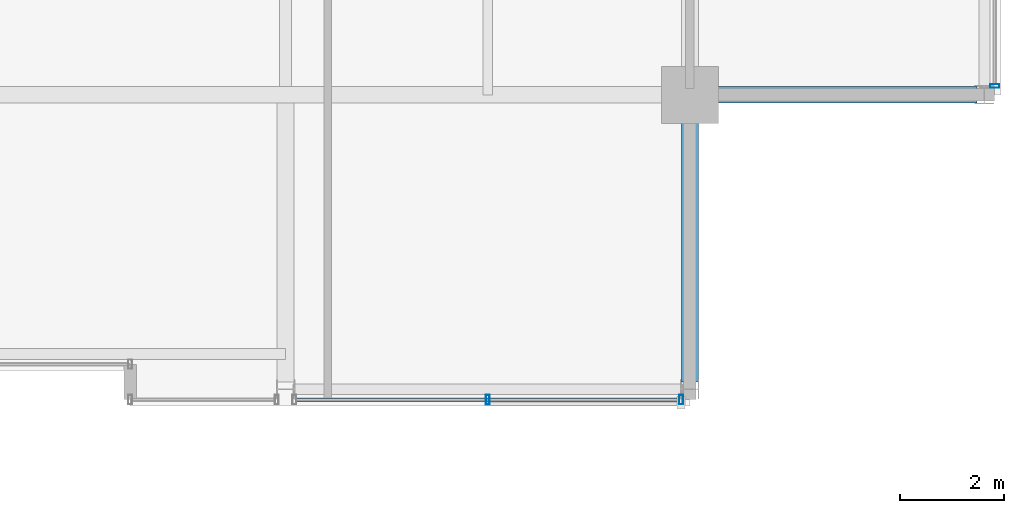
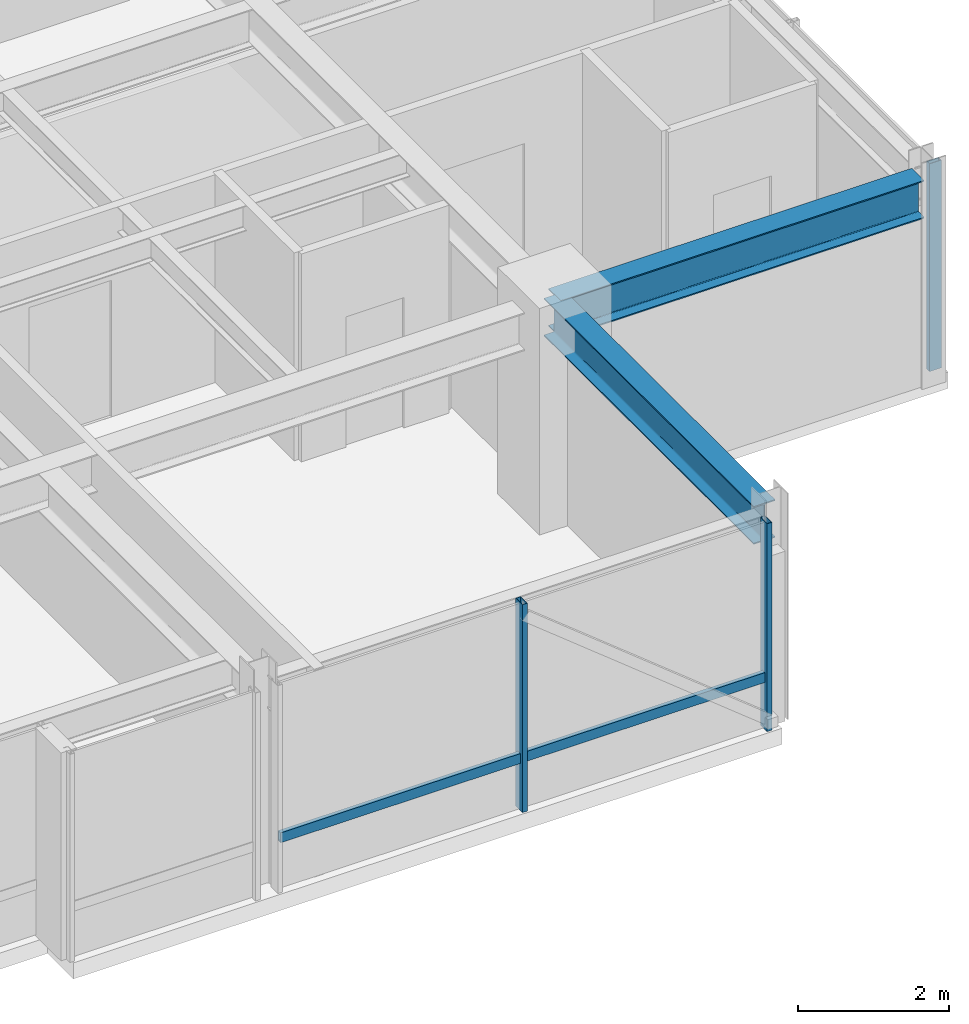
# One storey, part 15 of 34: 4 members, 2 beams, 2 elements without a shape of their own.
"""IFC4 building model written with IfcOpenShell, lengths in metres."""

from ifc_helpers import new_model, si_unit, direction, frame, origin, origin_2d, place, context, subcontext, project, spatial, hollow_rectangle, i_section, extrude, material, layer, layer_set, material_profile, profile_set, type_object, element, aggregate, save


model = new_model("IFC4")

# Units and contexts
model_context = context("Model", 3, precision=1e-05, world=origin(), true_north=direction((0.0, 1.0)))
body_context = subcontext(model_context, "Body", "Model", "MODEL_VIEW")
ifc_project = project(units=[si_unit("LENGTHUNIT", "METRE"), si_unit("AREAUNIT", "SQUARE_METRE"), si_unit("VOLUMEUNIT", "CUBIC_METRE"), si_unit("PLANEANGLEUNIT", "RADIAN"), si_unit("MASSUNIT", "GRAM", prefix="KILO")], contexts=[model_context])

# Site, building, storey
site_placement = place(None, origin())
site = spatial("IfcSite", under=ifc_project, at=site_placement, CompositionType="ELEMENT")
building_placement = place(site_placement, origin())
building = spatial("IfcBuilding", under=site, at=building_placement, Name="Drelvath Grand Hotel", CompositionType="ELEMENT")
storey_placement = place(building_placement, frame((0.0, 0.0, 290.550048828125)))
storey = spatial("IfcBuildingStorey", under=building, at=storey_placement, Name="L76", CompositionType="ELEMENT", Elevation=290.550048828125)

# Curtain wall, member
ifc_material_1 = material(Name="Platinum-Mist Anodised Aluminium Frame", Category="aluminium")
ifc_layer = layer(ifc_material_1, 0.199951171875)
ifc_layer_set = layer_set([ifc_layer], Name="Platinum-Mist Anodised Aluminium Frame")
curtain_wall_type = type_object("IfcCurtainWallType", Name="Stick Curtain Wall CW-05 Platinum Mist High-Rise", PredefinedType="NOTDEFINED", material=ifc_layer_set)
curtain_wall_1_placement = place(storey_placement, origin())
curtain_wall_1 = element("IfcCurtainWall", 1, at=curtain_wall_1_placement, inside=storey, type_object=curtain_wall_type, Name="L76 CW-05 Curtain Wall CW05-L76-SE2", PredefinedType="NOTDEFINED")
ifc_material_profile_1 = material_profile(ifc_material_1, hollow_rectangle(XDim=0.06494140625, YDim=0.159912109375, WallThickness=0.00390625, at=origin_2d()), Name="HSS160X65X4")
ifc_profile_set_1 = profile_set([ifc_material_profile_1], Name="Platinum-Mist Anodised Aluminium Frame")
member_type_1 = type_object("IfcMemberType", Name="Curtain Wall Horizontal Transom CW-05 HSS160X65X4", PredefinedType="USERDEFINED", material=ifc_profile_set_1)
member_1_placement = place(storey_placement, frame((15.989990234375, 4.919921875, 0.83740234375), z_axis=(-1.0, 0.0, 0.0), x_axis=(0.0, -1.0, 0.0)))
member_1 = element("IfcMember", 2, at=member_1_placement, type_object=member_type_1, Name="CW05-L76-SE2 Sill Transom", ObjectType="TRANSOM", PredefinedType="USERDEFINED", context=body_context, shape_type="SweptSolid", body=[
    extrude(hollow_rectangle(XDim=0.06494140625, YDim=0.159912109375, WallThickness=0.00390625, at=origin_2d()), origin(), (0.0, 0.0, 1.0), 7.3798828125),
])

curtain_wall_2_placement = place(storey_placement, origin())
curtain_wall_2 = element("IfcCurtainWall", 3, at=curtain_wall_2_placement, inside=storey, type_object=curtain_wall_type, Name="L76 CW-05 Curtain Wall CW05-L76-ES1", PredefinedType="NOTDEFINED")
ifc_material_profile_2 = material_profile(ifc_material_1, hollow_rectangle(XDim=0.074951171875, YDim=0.179931640625, WallThickness=0.0048828125, at=origin_2d()), Name="HSS180X75X5")
ifc_profile_set_2 = profile_set([ifc_material_profile_2], Name="Platinum-Mist Anodised Aluminium Frame")
member_type_2 = type_object("IfcMemberType", Name="Curtain Wall Vertical Mullion CW-05 HSS180X75X5", PredefinedType="MULLION", material=ifc_profile_set_2)
member_2_placement = place(storey_placement, frame((22.080078125, 10.97021484375, 0.0), z_axis=(0.0, 0.0, 1.0), x_axis=(0.0, 1.0, 0.0)))
member_2 = element("IfcMember", 4, at=member_2_placement, type_object=member_type_2, Name="CW05-L76-ES1 Mullion 3", PredefinedType="MULLION", context=body_context, shape_type="SweptSolid", body=[
    extrude(hollow_rectangle(XDim=0.074951171875, YDim=0.179931640625, WallThickness=0.0048828125, at=origin_2d()), origin(), (0.0, 0.0, 1.0), 3.349853515625),
])
aggregate(curtain_wall_2, [member_2])

# Member
member_3_placement = place(storey_placement, frame((16.02978515625, 4.919921875, 0.0), z_axis=(0.0, 0.0, 1.0), x_axis=(1.0, 0.0, 0.0)))
member_3 = element("IfcMember", 5, at=member_3_placement, type_object=member_type_2, Name="CW05-L76-SE2 Mullion 1", PredefinedType="MULLION", context=body_context, shape_type="SweptSolid", body=[
    extrude(hollow_rectangle(XDim=0.074951171875, YDim=0.179931640625, WallThickness=0.0048828125, at=origin_2d()), origin(), (0.0, 0.0, 1.0), 3.349853515625),
])

member_4_placement = place(storey_placement, frame((12.300048828125, 4.919921875, 0.0), z_axis=(0.0, 0.0, 1.0), x_axis=(1.0, 0.0, 0.0)))
member_4 = element("IfcMember", 6, at=member_4_placement, type_object=member_type_2, Name="CW05-L76-SE2 Mullion 2", PredefinedType="MULLION", context=body_context, shape_type="SweptSolid", body=[
    extrude(hollow_rectangle(XDim=0.074951171875, YDim=0.179931640625, WallThickness=0.0048828125, at=origin_2d()), origin(), (0.0, 0.0, 1.0), 3.349853515625),
])

aggregate(curtain_wall_1, [member_3, member_4, member_1])

# Beams
ifc_material_2 = material(Name="Steel ASTM A992 Gr 50", Category="steel")
ifc_material_profile_3 = material_profile(ifc_material_2, i_section(OverallWidth=0.323974609375, OverallDepth=0.611083984375, WebThickness=0.0126953125, FlangeThickness=0.01904296875, FilletRadius=0.02197265625, at=origin_2d()), Name="W24X104")
ifc_profile_set_3 = profile_set([ifc_material_profile_3], Name="Steel ASTM A992 Gr 50")
beam_type = type_object("IfcBeamType", Name="Primary Floor Girder W24X104", PredefinedType="BEAM", material=ifc_profile_set_3)
for number, where, z_axis, x_axis, name in (
    (7, (16.199951171875, 10.800048828125, 3.04443359375), (1.0, 0.0, 0.0), (0.0, 1.0, 0.0), "L76 East Grid Girder C"),
    (8, (16.199951171875, 5.260009765625, 3.04443359375), (0.0, 1.0, 0.0), (-1.0, 0.0, 0.0), "L76 South Grid Girder 7"),
):
    element("IfcBeam", number, at=place(storey_placement, frame(where, z_axis=z_axis, x_axis=x_axis)), inside=storey, type_object=beam_type, Name=name, PredefinedType="BEAM", context=body_context, shape_type="SweptSolid", body=[
        extrude(i_section(OverallWidth=0.323974609375, OverallDepth=0.611083984375, WebThickness=0.0126953125, FlangeThickness=0.01904296875, FilletRadius=0.02197265625, at=origin_2d()), origin(), (0.0, 0.0, 1.0), 5.5400390625),
    ])

save(model, "model.ifc")
